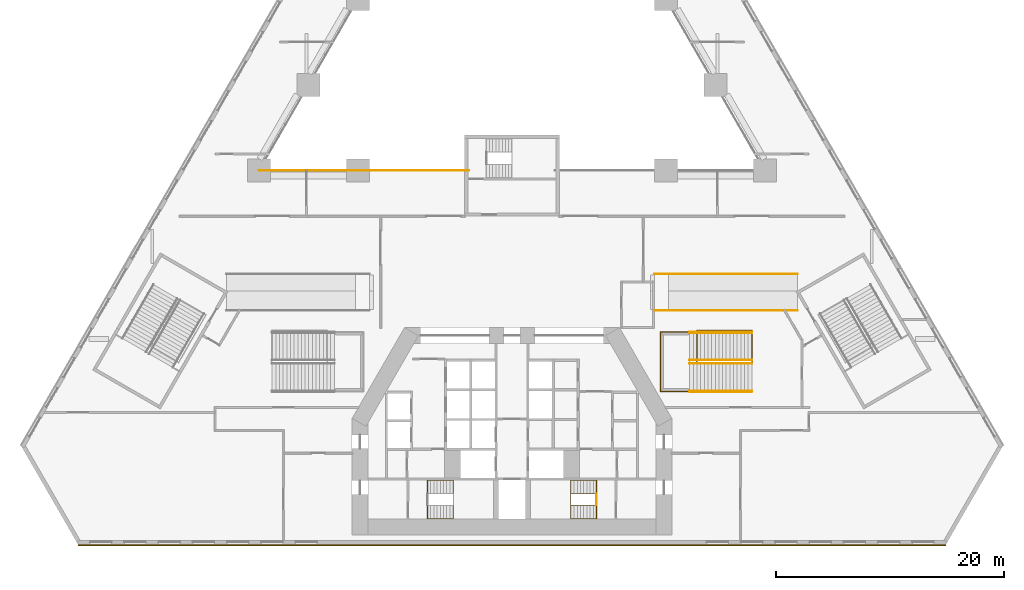
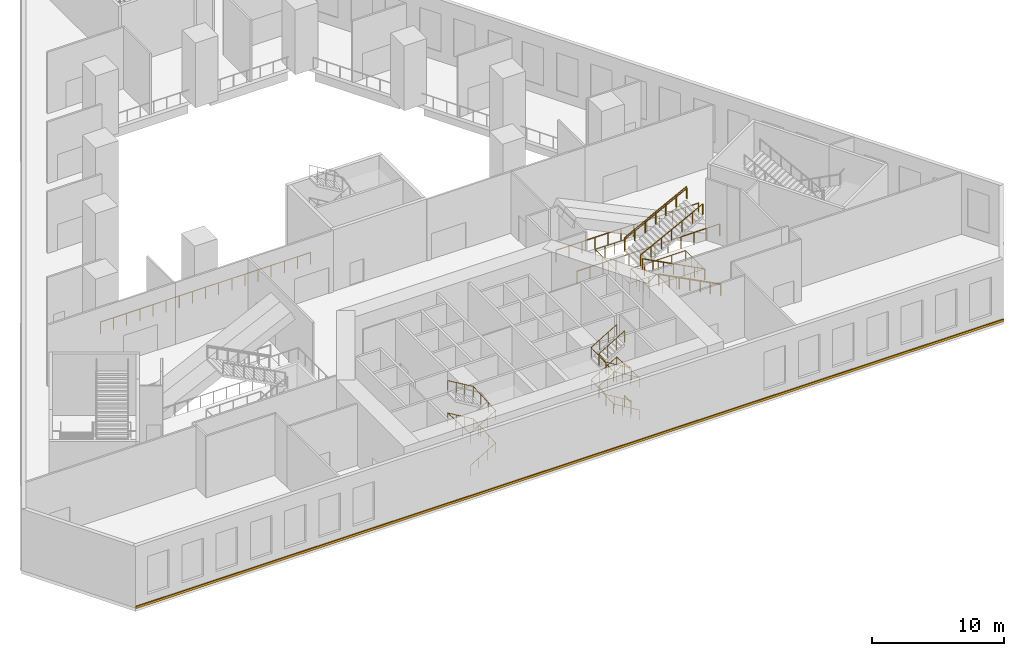
# One storey, part 11 of 16: 15 railings, 1 covering.
"""IFC4 building model written with IfcOpenShell, lengths in metres."""

from ifc_helpers import new_model, si_unit, direction, frame, origin, origin_2d, place, context, subcontext, project, spatial, polyline, circle, outline, extrude, material, type_object, element, save


model = new_model("IFC4")

# Units and contexts
model_context = context("Model", 3, precision=1e-05, world=origin(), true_north=direction((0.0, 1.0)))
body_context = subcontext(model_context, "Body", "Model", "MODEL_VIEW")
ifc_project = project(units=[si_unit("LENGTHUNIT", "METRE"), si_unit("AREAUNIT", "SQUARE_METRE"), si_unit("VOLUMEUNIT", "CUBIC_METRE"), si_unit("PLANEANGLEUNIT", "RADIAN"), si_unit("MASSUNIT", "GRAM", prefix="KILO")], contexts=[model_context])

# Site, building, storey
site_placement = place(None, origin())
site = spatial("IfcSite", under=ifc_project, at=site_placement, CompositionType="ELEMENT")
building_placement = place(site_placement, origin())
building = spatial("IfcBuilding", under=site, at=building_placement, Name="Fogline Exchange Tower", CompositionType="ELEMENT")
storey_placement = place(building_placement, frame((0.0, 0.0, 14.0)))
storey = spatial("IfcBuildingStorey", under=building, at=storey_placement, Name="L02", CompositionType="ELEMENT", Elevation=14.0)

# Railings
ifc_material_1 = material(Name="Steel Q235B", Category="steel")
railing_type_1 = type_object("IfcRailingType", Name="PG1", PredefinedType="GUARDRAIL", material=ifc_material_1)
railing_1_placement = place(storey_placement, frame((16.199951171875, 15.949951171875, 0.0)))
element("IfcRailing", 1, at=railing_1_placement, inside=storey, type_object=railing_type_1, Name="Stair well guard PS2", PredefinedType="GUARDRAIL", context=body_context, shape_type="SweptSolid", body=[
    extrude(circle(Radius=0.02392578125, at=origin_2d()), frame((0.0, 0.0, 1.076171875), z_axis=(0.0, 1.0, 0.0), x_axis=(-1.0, 0.0, 0.0)), (0.0, 0.0, 1.0), 2.800048828125),
    extrude(circle(Radius=0.02392578125, at=origin_2d()), frame((0.0, 2.800048828125, 1.076171875), z_axis=(1.0, 0.0, 0.0), x_axis=(0.0, 1.0, 0.0)), (0.0, 0.0, 1.0), 4.798095703125),
    extrude(circle(Radius=0.02392578125, at=origin_2d()), frame((4.798095703125, 2.800048828125, 1.076171875), z_axis=(0.0, -1.0, 0.0), x_axis=(1.0, 0.0, 0.0)), (0.0, 0.0, 1.0), 2.800048828125),
    extrude(circle(Radius=0.02392578125, at=origin_2d()), frame((4.798095703125, 0.0, 1.076171875), z_axis=(-0.999999429113, 0.001068538544, 0.0), x_axis=(-0.001068538544, -0.999999429113, 0.0)), (0.0, 0.0, 1.0), 4.798095703125),
    extrude(circle(Radius=0.02099609375, at=origin_2d()), origin(), (0.0, 0.0, 1.0), 1.052001953125),
    extrude(circle(Radius=0.02099609375, at=origin_2d()), frame((0.0, 0.933349609375, 0.0)), (0.0, 0.0, 1.0), 1.052001953125),
    extrude(circle(Radius=0.02099609375, at=origin_2d()), frame((0.0, 1.86669921875, 0.0)), (0.0, 0.0, 1.0), 1.052001953125),
    extrude(circle(Radius=0.02099609375, at=origin_2d()), frame((0.0, 2.800048828125, 0.0)), (0.0, 0.0, 1.0), 1.052001953125),
    extrude(circle(Radius=0.02099609375, at=origin_2d()), frame((1.199462890625, 2.800048828125, 0.0)), (0.0, 0.0, 1.0), 1.052001953125),
    extrude(circle(Radius=0.02099609375, at=origin_2d()), frame((2.39892578125, 2.800048828125, 0.0)), (0.0, 0.0, 1.0), 1.052001953125),
    extrude(circle(Radius=0.02099609375, at=origin_2d()), frame((3.5986328125, 2.800048828125, 0.0)), (0.0, 0.0, 1.0), 1.052001953125),
    extrude(circle(Radius=0.02099609375, at=origin_2d()), frame((4.798095703125, 2.800048828125, 0.0)), (0.0, 0.0, 1.0), 1.052001953125),
    extrude(circle(Radius=0.02099609375, at=origin_2d()), frame((4.798095703125, 1.86669921875, 0.0)), (0.0, 0.0, 1.0), 1.052001953125),
    extrude(circle(Radius=0.02099609375, at=origin_2d()), frame((4.798095703125, 0.933349609375, 0.0)), (0.0, 0.0, 1.0), 1.052001953125),
    extrude(circle(Radius=0.02099609375, at=origin_2d()), frame((4.798095703125, 0.0, 0.0)), (0.0, 0.0, 1.0), 1.052001953125),
    extrude(circle(Radius=0.02099609375, at=origin_2d()), frame((3.5986328125, 0.001220703125, 0.0)), (0.0, 0.0, 1.0), 1.052001953125),
    extrude(circle(Radius=0.02099609375, at=origin_2d()), frame((2.39892578125, 0.00244140625, 0.0)), (0.0, 0.0, 1.0), 1.052001953125),
    extrude(circle(Radius=0.02099609375, at=origin_2d()), frame((1.199462890625, 0.00390625, 0.0)), (0.0, 0.0, 1.0), 1.052001953125),
    extrude(circle(Radius=0.02099609375, at=origin_2d()), frame((0.0, 0.005126953125, 0.0)), (0.0, 0.0, 1.0), 1.052001953125),
])
railing_2_placement = place(storey_placement, frame((21.0, 13.3798828125, 0.166748046875)))
element("IfcRailing", 2, at=railing_2_placement, inside=storey, type_object=railing_type_1, Name="Guard PS2", PredefinedType="GUARDRAIL", context=body_context, shape_type="SweptSolid", body=[
    extrude(circle(Radius=0.02392578125, at=origin_2d()), frame((0.0, 0.0, 1.076171875), z_axis=(-0.886917481566, 0.0, 0.461927895771), x_axis=(0.0, -1.0, 0.0)), (0.0, 0.0, 1.0), 6.133544921875),
    extrude(circle(Radius=0.02099609375, at=origin_2d()), origin(), (0.0, 0.0, 1.0), 1.052001953125),
    extrude(circle(Radius=0.02099609375, at=origin_2d()), frame((-0.90673828125, 0.0, 0.47216796875)), (0.0, 0.0, 1.0), 1.052001953125),
    extrude(circle(Radius=0.02099609375, at=origin_2d()), frame((-1.813232421875, 0.0, 0.9443359375)), (0.0, 0.0, 1.0), 1.052001953125),
    extrude(circle(Radius=0.02099609375, at=origin_2d()), frame((-2.719970703125, 0.0, 1.41650390625)), (0.0, 0.0, 1.0), 1.052001953125),
    extrude(circle(Radius=0.02099609375, at=origin_2d()), frame((-3.626708984375, 0.0, 1.888916015625)), (0.0, 0.0, 1.0), 1.052001953125),
    extrude(circle(Radius=0.02099609375, at=origin_2d()), frame((-4.533203125, 0.0, 2.361083984375)), (0.0, 0.0, 1.0), 1.052001953125),
    extrude(circle(Radius=0.02099609375, at=origin_2d()), frame((-5.43994140625, 0.0, 2.833251953125)), (0.0, 0.0, 1.0), 1.052001953125),
])
railing_3_placement = place(storey_placement, frame((15.56005859375, 18.6201171875, 3.166748046875)))
element("IfcRailing", 3, at=railing_3_placement, inside=storey, type_object=railing_type_1, Name="Guard PS2", PredefinedType="GUARDRAIL", context=body_context, shape_type="SweptSolid", body=[
    extrude(circle(Radius=0.02392578125, at=origin_2d()), frame((0.0, 0.0, 1.076171875), z_axis=(0.886917481566, 0.0, 0.461927895771), x_axis=(0.0, 1.0, 0.0)), (0.0, 0.0, 1.0), 6.133544921875),
    extrude(circle(Radius=0.02099609375, at=origin_2d()), origin(), (0.0, 0.0, 1.0), 1.052001953125),
    extrude(circle(Radius=0.02099609375, at=origin_2d()), frame((0.90673828125, 0.0, 0.47216796875)), (0.0, 0.0, 1.0), 1.052001953125),
    extrude(circle(Radius=0.02099609375, at=origin_2d()), frame((1.813232421875, 0.0, 0.9443359375)), (0.0, 0.0, 1.0), 1.052001953125),
    extrude(circle(Radius=0.02099609375, at=origin_2d()), frame((2.719970703125, 0.0, 1.41650390625)), (0.0, 0.0, 1.0), 1.052001953125),
    extrude(circle(Radius=0.02099609375, at=origin_2d()), frame((3.626708984375, 0.0, 1.888916015625)), (0.0, 0.0, 1.0), 1.052001953125),
    extrude(circle(Radius=0.02099609375, at=origin_2d()), frame((4.533203125, 0.0, 2.361083984375)), (0.0, 0.0, 1.0), 1.052001953125),
    extrude(circle(Radius=0.02099609375, at=origin_2d()), frame((5.43994140625, 0.0, 2.833251953125)), (0.0, 0.0, 1.0), 1.052001953125),
])
railing_4_placement = place(storey_placement, frame((15.56005859375, 13.39990234375, 3.0)))
element("IfcRailing", 4, at=railing_4_placement, inside=storey, type_object=railing_type_1, Name="Landing guard PS2", PredefinedType="GUARDRAIL", context=body_context, shape_type="SweptSolid", body=[
    extrude(circle(Radius=0.02392578125, at=origin_2d()), frame((0.0, 0.0, 1.076171875), z_axis=(-1.0, 0.0, 0.0), x_axis=(0.0, -1.0, 0.0)), (0.0, 0.0, 1.0), 2.56005859375),
    extrude(circle(Radius=0.02392578125, at=origin_2d()), frame((-2.56005859375, 0.0, 1.076171875), z_axis=(0.0, 1.0, 0.0), x_axis=(-1.0, 0.0, 0.0)), (0.0, 0.0, 1.0), 5.2001953125),
    extrude(circle(Radius=0.02392578125, at=origin_2d()), frame((-2.56005859375, 5.2001953125, 1.076171875), z_axis=(1.0, 0.0, 0.0), x_axis=(0.0, 1.0, 0.0)), (0.0, 0.0, 1.0), 2.56005859375),
    extrude(circle(Radius=0.02099609375, at=origin_2d()), origin(), (0.0, 0.0, 1.0), 1.052001953125),
    extrude(circle(Radius=0.02099609375, at=origin_2d()), frame((-0.853271484375, 0.0, 0.0)), (0.0, 0.0, 1.0), 1.052001953125),
    extrude(circle(Radius=0.02099609375, at=origin_2d()), frame((-1.706787109375, 0.0, 0.0)), (0.0, 0.0, 1.0), 1.052001953125),
    extrude(circle(Radius=0.02099609375, at=origin_2d()), frame((-2.56005859375, 0.0, 0.0)), (0.0, 0.0, 1.0), 1.052001953125),
    extrude(circle(Radius=0.02099609375, at=origin_2d()), frame((-2.56005859375, 1.0400390625, 0.0)), (0.0, 0.0, 1.0), 1.052001953125),
    extrude(circle(Radius=0.02099609375, at=origin_2d()), frame((-2.56005859375, 2.080078125, 0.0)), (0.0, 0.0, 1.0), 1.052001953125),
    extrude(circle(Radius=0.02099609375, at=origin_2d()), frame((-2.56005859375, 3.1201171875, 0.0)), (0.0, 0.0, 1.0), 1.052001953125),
    extrude(circle(Radius=0.02099609375, at=origin_2d()), frame((-2.56005859375, 4.16015625, 0.0)), (0.0, 0.0, 1.0), 1.052001953125),
    extrude(circle(Radius=0.02099609375, at=origin_2d()), frame((-2.56005859375, 5.2001953125, 0.0)), (0.0, 0.0, 1.0), 1.052001953125),
    extrude(circle(Radius=0.02099609375, at=origin_2d()), frame((-1.706787109375, 5.2001953125, 0.0)), (0.0, 0.0, 1.0), 1.052001953125),
    extrude(circle(Radius=0.02099609375, at=origin_2d()), frame((-0.853271484375, 5.2001953125, 0.0)), (0.0, 0.0, 1.0), 1.052001953125),
    extrude(circle(Radius=0.02099609375, at=origin_2d()), frame((0.0, 5.2001953125, 0.0)), (0.0, 0.0, 1.0), 1.052001953125),
])
for number, where, name in (
    (5, (12.5, 20.5, 0.0), "Guard"),
    (6, (12.5, 23.699951171875, 0.0), "Guard"),
):
    element("IfcRailing", number, at=place(storey_placement, frame(where)), inside=storey, type_object=railing_type_1, Name=name, PredefinedType="GUARDRAIL", context=body_context, shape_type="SweptSolid", body=[
        extrude(circle(Radius=0.02392578125, at=origin_2d()), frame((0.0, 0.0, 1.076171875), z_axis=(1.0, 0.0, 0.0), x_axis=(0.0, 1.0, 0.0)), (0.0, 0.0, 1.0), 12.5),
        extrude(circle(Radius=0.02099609375, at=origin_2d()), origin(), (0.0, 0.0, 1.0), 1.052001953125),
        extrude(circle(Radius=0.02099609375, at=origin_2d()), frame((1.136474609375, 0.0, 0.0)), (0.0, 0.0, 1.0), 1.052001953125),
        extrude(circle(Radius=0.02099609375, at=origin_2d()), frame((2.272705078125, 0.0, 0.0)), (0.0, 0.0, 1.0), 1.052001953125),
        extrude(circle(Radius=0.02099609375, at=origin_2d()), frame((3.4091796875, 0.0, 0.0)), (0.0, 0.0, 1.0), 1.052001953125),
        extrude(circle(Radius=0.02099609375, at=origin_2d()), frame((4.54541015625, 0.0, 0.0)), (0.0, 0.0, 1.0), 1.052001953125),
        extrude(circle(Radius=0.02099609375, at=origin_2d()), frame((5.681884765625, 0.0, 0.0)), (0.0, 0.0, 1.0), 1.052001953125),
        extrude(circle(Radius=0.02099609375, at=origin_2d()), frame((6.818115234375, 0.0, 0.0)), (0.0, 0.0, 1.0), 1.052001953125),
        extrude(circle(Radius=0.02099609375, at=origin_2d()), frame((7.95458984375, 0.0, 0.0)), (0.0, 0.0, 1.0), 1.052001953125),
        extrude(circle(Radius=0.02099609375, at=origin_2d()), frame((9.0908203125, 0.0, 0.0)), (0.0, 0.0, 1.0), 1.052001953125),
        extrude(circle(Radius=0.02099609375, at=origin_2d()), frame((10.227294921875, 0.0, 0.0)), (0.0, 0.0, 1.0), 1.052001953125),
        extrude(circle(Radius=0.02099609375, at=origin_2d()), frame((11.363525390625, 0.0, 0.0)), (0.0, 0.0, 1.0), 1.052001953125),
        extrude(circle(Radius=0.02099609375, at=origin_2d()), frame((12.5, 0.0, 0.0)), (0.0, 0.0, 1.0), 1.052001953125),
    ])
railing_5_placement = place(storey_placement, frame((-22.15771484375, 32.760009765625, 0.0)))
element("IfcRailing", 7, at=railing_5_placement, inside=storey, type_object=railing_type_1, Name="Gallery guard", PredefinedType="GUARDRAIL", context=body_context, shape_type="SweptSolid", body=[
    extrude(circle(Radius=0.02392578125, at=origin_2d()), frame((0.0, 0.0, 1.076171875), z_axis=(1.0, 0.0, 0.0), x_axis=(0.0, 1.0, 0.0)), (0.0, 0.0, 1.0), 18.40771484375),
    extrude(circle(Radius=0.02099609375, at=origin_2d()), origin(), (0.0, 0.0, 1.0), 1.052001953125),
    extrude(circle(Radius=0.02099609375, at=origin_2d()), frame((1.150390625, 0.0, 0.0)), (0.0, 0.0, 1.0), 1.052001953125),
    extrude(circle(Radius=0.02099609375, at=origin_2d()), frame((2.301025390625, 0.0, 0.0)), (0.0, 0.0, 1.0), 1.052001953125),
    extrude(circle(Radius=0.02099609375, at=origin_2d()), frame((3.451416015625, 0.0, 0.0)), (0.0, 0.0, 1.0), 1.052001953125),
    extrude(circle(Radius=0.02099609375, at=origin_2d()), frame((4.60205078125, 0.0, 0.0)), (0.0, 0.0, 1.0), 1.052001953125),
    extrude(circle(Radius=0.02099609375, at=origin_2d()), frame((5.75244140625, 0.0, 0.0)), (0.0, 0.0, 1.0), 1.052001953125),
    extrude(circle(Radius=0.02099609375, at=origin_2d()), frame((6.90283203125, 0.0, 0.0)), (0.0, 0.0, 1.0), 1.052001953125),
    extrude(circle(Radius=0.02099609375, at=origin_2d()), frame((8.053466796875, 0.0, 0.0)), (0.0, 0.0, 1.0), 1.052001953125),
    extrude(circle(Radius=0.02099609375, at=origin_2d()), frame((9.203857421875, 0.0, 0.0)), (0.0, 0.0, 1.0), 1.052001953125),
    extrude(circle(Radius=0.02099609375, at=origin_2d()), frame((10.354248046875, 0.0, 0.0)), (0.0, 0.0, 1.0), 1.052001953125),
    extrude(circle(Radius=0.02099609375, at=origin_2d()), frame((11.5048828125, 0.0, 0.0)), (0.0, 0.0, 1.0), 1.052001953125),
    extrude(circle(Radius=0.02099609375, at=origin_2d()), frame((12.6552734375, 0.0, 0.0)), (0.0, 0.0, 1.0), 1.052001953125),
    extrude(circle(Radius=0.02099609375, at=origin_2d()), frame((13.8056640625, 0.0, 0.0)), (0.0, 0.0, 1.0), 1.052001953125),
    extrude(circle(Radius=0.02099609375, at=origin_2d()), frame((14.956298828125, 0.0, 0.0)), (0.0, 0.0, 1.0), 1.052001953125),
    extrude(circle(Radius=0.02099609375, at=origin_2d()), frame((16.106689453125, 0.0, 0.0)), (0.0, 0.0, 1.0), 1.052001953125),
    extrude(circle(Radius=0.02099609375, at=origin_2d()), frame((17.25732421875, 0.0, 0.0)), (0.0, 0.0, 1.0), 1.052001953125),
    extrude(circle(Radius=0.02099609375, at=origin_2d()), frame((18.40771484375, 0.0, 0.0)), (0.0, 0.0, 1.0), 1.052001953125),
])
railing_type_2 = type_object("IfcRailingType", Name="PH1", PredefinedType="HANDRAIL", material=ifc_material_1)
for number, where, name in (
    (8, (21.0, 15.85009765625, 0.166748046875), "Handrail PS2"),
    (9, (21.0, 13.449951171875, 0.166748046875), "Handrail PS2"),
):
    element("IfcRailing", number, at=place(storey_placement, frame(where)), inside=storey, type_object=railing_type_2, Name=name, PredefinedType="HANDRAIL", context=body_context, shape_type="SweptSolid", body=[
        extrude(circle(Radius=0.02392578125, at=origin_2d()), frame((0.0, 0.0, 0.97607421875), z_axis=(-0.886917481566, 0.0, 0.461927895771), x_axis=(0.0, -1.0, 0.0)), (0.0, 0.0, 1.0), 6.133544921875),
        extrude(circle(Radius=0.02099609375, at=origin_2d()), origin(), (0.0, 0.0, 1.0), 0.951904296875),
        extrude(circle(Radius=0.02099609375, at=origin_2d()), frame((-0.90673828125, 0.0, 0.47216796875)), (0.0, 0.0, 1.0), 0.951904296875),
        extrude(circle(Radius=0.02099609375, at=origin_2d()), frame((-1.813232421875, 0.0, 0.9443359375)), (0.0, 0.0, 1.0), 0.951904296875),
        extrude(circle(Radius=0.02099609375, at=origin_2d()), frame((-2.719970703125, 0.0, 1.41650390625)), (0.0, 0.0, 1.0), 0.951904296875),
        extrude(circle(Radius=0.02099609375, at=origin_2d()), frame((-3.626708984375, 0.0, 1.888916015625)), (0.0, 0.0, 1.0), 0.951904296875),
        extrude(circle(Radius=0.02099609375, at=origin_2d()), frame((-4.533203125, 0.0, 2.361083984375)), (0.0, 0.0, 1.0), 0.951904296875),
        extrude(circle(Radius=0.02099609375, at=origin_2d()), frame((-5.43994140625, 0.0, 2.833251953125)), (0.0, 0.0, 1.0), 0.951904296875),
    ])
for number, where, name in (
    (10, (15.56005859375, 16.14990234375, 3.166748046875), "Handrail PS2"),
    (11, (15.56005859375, 18.550048828125, 3.166748046875), "Handrail PS2"),
):
    element("IfcRailing", number, at=place(storey_placement, frame(where)), inside=storey, type_object=railing_type_2, Name=name, PredefinedType="HANDRAIL", context=body_context, shape_type="SweptSolid", body=[
        extrude(circle(Radius=0.02392578125, at=origin_2d()), frame((0.0, 0.0, 0.97607421875), z_axis=(0.886917481566, 0.0, 0.461927895771), x_axis=(0.0, 1.0, 0.0)), (0.0, 0.0, 1.0), 6.133544921875),
        extrude(circle(Radius=0.02099609375, at=origin_2d()), origin(), (0.0, 0.0, 1.0), 0.951904296875),
        extrude(circle(Radius=0.02099609375, at=origin_2d()), frame((0.90673828125, 0.0, 0.47216796875)), (0.0, 0.0, 1.0), 0.951904296875),
        extrude(circle(Radius=0.02099609375, at=origin_2d()), frame((1.813232421875, 0.0, 0.9443359375)), (0.0, 0.0, 1.0), 0.951904296875),
        extrude(circle(Radius=0.02099609375, at=origin_2d()), frame((2.719970703125, 0.0, 1.41650390625)), (0.0, 0.0, 1.0), 0.951904296875),
        extrude(circle(Radius=0.02099609375, at=origin_2d()), frame((3.626708984375, 0.0, 1.888916015625)), (0.0, 0.0, 1.0), 0.951904296875),
        extrude(circle(Radius=0.02099609375, at=origin_2d()), frame((4.533203125, 0.0, 2.361083984375)), (0.0, 0.0, 1.0), 0.951904296875),
        extrude(circle(Radius=0.02099609375, at=origin_2d()), frame((5.43994140625, 0.0, 2.833251953125)), (0.0, 0.0, 1.0), 0.951904296875),
    ])
railing_type_3 = type_object("IfcRailingType", Name="RL-GD", PredefinedType="GUARDRAIL", material=ifc_material_1)
railing_6_placement = place(storey_placement, frame((7.389892578125, 3.449951171875, 0.0)))
element("IfcRailing", 12, at=railing_6_placement, inside=storey, type_object=railing_type_3, Name="Guard at well", PredefinedType="GUARDRAIL", context=body_context, shape_type="SweptSolid", body=[
    extrude(circle(Radius=0.02392578125, at=origin_2d()), frame((0.0, 0.0, 1.076171875), z_axis=(0.0, 1.0, 0.0), x_axis=(-1.0, 0.0, 0.0)), (0.0, 0.0, 1.0), 1.0),
    extrude(circle(Radius=0.02099609375, at=origin_2d()), origin(), (0.0, 0.0, 1.0), 1.052001953125),
    extrude(circle(Radius=0.02099609375, at=origin_2d()), frame((0.0, 1.0, 0.0)), (0.0, 0.0, 1.0), 1.052001953125),
])
railing_7_placement = place(storey_placement, frame((7.39990234375, 3.449951171875, 0.166748046875)))
element("IfcRailing", 13, at=railing_7_placement, inside=storey, type_object=railing_type_3, Name="Guard ST2", PredefinedType="GUARDRAIL", context=body_context, shape_type="SweptSolid", body=[
    extrude(circle(Radius=0.02392578125, at=origin_2d()), frame((0.0, 0.0, 1.076171875), z_axis=(-0.859305625298, 0.0, 0.511462454469), x_axis=(0.0, -1.0, 0.0)), (0.0, 0.0, 1.0), 2.606689453125),
    extrude(circle(Radius=0.02392578125, at=origin_2d()), frame((-2.239990234375, 0.0, 2.4091796875), z_axis=(0.0, 0.986380903678, 0.164477089163), x_axis=(-1.0, 0.0, 0.0)), (0.0, 0.0, 1.0), 1.013916015625),
    extrude(circle(Radius=0.02392578125, at=origin_2d()), frame((-2.239990234375, 1.0, 2.576171875), z_axis=(0.859305625298, 0.0, 0.511462454469), x_axis=(0.0, 1.0, 0.0)), (0.0, 0.0, 1.0), 2.606689453125),
    extrude(circle(Radius=0.02392578125, at=origin_2d()), frame((0.0, 1.0, 3.9091796875), z_axis=(0.0, -0.986380903678, 0.164477089163), x_axis=(1.0, 0.0, 0.0)), (0.0, 0.0, 1.0), 1.013916015625),
    extrude(circle(Radius=0.02392578125, at=origin_2d()), frame((0.0, 0.0, 4.076171875), z_axis=(-0.859305625298, 0.0, 0.511462454469), x_axis=(0.0, -1.0, 0.0)), (0.0, 0.0, 1.0), 2.606689453125),
    extrude(circle(Radius=0.02392578125, at=origin_2d()), frame((-2.239990234375, 0.0, 5.4091796875), z_axis=(0.0, 0.986380903678, 0.164477089163), x_axis=(-1.0, 0.0, 0.0)), (0.0, 0.0, 1.0), 1.013916015625),
    extrude(circle(Radius=0.02392578125, at=origin_2d()), frame((-2.239990234375, 1.0, 5.576171875), z_axis=(0.859305625298, 0.0, 0.511462454469), x_axis=(0.0, 1.0, 0.0)), (0.0, 0.0, 1.0), 2.606689453125),
    extrude(circle(Radius=0.02099609375, at=origin_2d()), origin(), (0.0, 0.0, 1.0), 1.052001953125),
    extrude(circle(Radius=0.02099609375, at=origin_2d()), frame((-0.74658203125, 0.0, 0.4443359375)), (0.0, 0.0, 1.0), 1.052001953125),
    extrude(circle(Radius=0.02099609375, at=origin_2d()), frame((-1.493408203125, 0.0, 0.888916015625)), (0.0, 0.0, 1.0), 1.052001953125),
    extrude(circle(Radius=0.02099609375, at=origin_2d()), frame((-2.239990234375, 0.0, 1.333251953125)), (0.0, 0.0, 1.0), 1.052001953125),
    extrude(circle(Radius=0.02099609375, at=origin_2d()), frame((-2.239990234375, 1.0, 1.5)), (0.0, 0.0, 1.0), 1.052001953125),
    extrude(circle(Radius=0.02099609375, at=origin_2d()), frame((-1.493408203125, 1.0, 1.9443359375)), (0.0, 0.0, 1.0), 1.052001953125),
    extrude(circle(Radius=0.02099609375, at=origin_2d()), frame((-0.74658203125, 1.0, 2.388916015625)), (0.0, 0.0, 1.0), 1.052001953125),
    extrude(circle(Radius=0.02099609375, at=origin_2d()), frame((0.0, 1.0, 2.833251953125)), (0.0, 0.0, 1.0), 1.052001953125),
    extrude(circle(Radius=0.02099609375, at=origin_2d()), frame((0.0, 0.0, 3.0)), (0.0, 0.0, 1.0), 1.052001953125),
    extrude(circle(Radius=0.02099609375, at=origin_2d()), frame((-0.74658203125, 0.0, 3.4443359375)), (0.0, 0.0, 1.0), 1.052001953125),
    extrude(circle(Radius=0.02099609375, at=origin_2d()), frame((-1.493408203125, 0.0, 3.888916015625)), (0.0, 0.0, 1.0), 1.052001953125),
    extrude(circle(Radius=0.02099609375, at=origin_2d()), frame((-2.239990234375, 0.0, 4.333251953125)), (0.0, 0.0, 1.0), 1.052001953125),
    extrude(circle(Radius=0.02099609375, at=origin_2d()), frame((-2.239990234375, 1.0, 4.5)), (0.0, 0.0, 1.0), 1.052001953125),
    extrude(circle(Radius=0.02099609375, at=origin_2d()), frame((-1.493408203125, 1.0, 4.9443359375)), (0.0, 0.0, 1.0), 1.052001953125),
    extrude(circle(Radius=0.02099609375, at=origin_2d()), frame((-0.74658203125, 1.0, 5.388916015625)), (0.0, 0.0, 1.0), 1.052001953125),
    extrude(circle(Radius=0.02099609375, at=origin_2d()), frame((0.0, 1.0, 5.833251953125)), (0.0, 0.0, 1.0), 1.052001953125),
])
railing_type_4 = type_object("IfcRailingType", Name="RL-HR", PredefinedType="HANDRAIL", material=ifc_material_1)
railing_8_placement = place(storey_placement, frame((-7.39990234375, 2.25, 0.166748046875)))
element("IfcRailing", 14, at=railing_8_placement, inside=storey, type_object=railing_type_4, Name="Handrail ST1", PredefinedType="HANDRAIL", context=body_context, shape_type="SweptSolid", body=[
    extrude(circle(Radius=0.02392578125, at=origin_2d()), frame((0.0, 0.0, 0.92578125), z_axis=(0.859305625298, 0.0, 0.511462454469), x_axis=(0.0, 1.0, 0.0)), (0.0, 0.0, 1.0), 2.606689453125),
    extrude(circle(Radius=0.02392578125, at=origin_2d()), frame((2.239990234375, 0.0, 2.25927734375), z_axis=(0.0, 0.998799461751, 0.048986071548), x_axis=(-1.0, 0.0, 0.0)), (0.0, 0.0, 1.0), 3.404052734375),
    extrude(circle(Radius=0.02392578125, at=origin_2d()), frame((2.239990234375, 3.39990234375, 2.42578125), z_axis=(-0.859305625298, 0.0, 0.511462454469), x_axis=(0.0, -1.0, 0.0)), (0.0, 0.0, 1.0), 2.606689453125),
    extrude(circle(Radius=0.02392578125, at=origin_2d()), frame((0.0, 3.39990234375, 3.75927734375), z_axis=(0.0, -0.998799461751, 0.048986071548), x_axis=(1.0, 0.0, 0.0)), (0.0, 0.0, 1.0), 3.404052734375),
    extrude(circle(Radius=0.02392578125, at=origin_2d()), frame((0.0, 0.0, 3.92578125), z_axis=(0.859305625298, 0.0, 0.511462454469), x_axis=(0.0, 1.0, 0.0)), (0.0, 0.0, 1.0), 2.606689453125),
    extrude(circle(Radius=0.02392578125, at=origin_2d()), frame((2.239990234375, 0.0, 5.25927734375), z_axis=(0.0, 0.998799461751, 0.048986071548), x_axis=(-1.0, 0.0, 0.0)), (0.0, 0.0, 1.0), 3.404052734375),
    extrude(circle(Radius=0.02392578125, at=origin_2d()), frame((2.239990234375, 3.39990234375, 5.42578125), z_axis=(-0.859305625298, 0.0, 0.511462454469), x_axis=(0.0, -1.0, 0.0)), (0.0, 0.0, 1.0), 2.606689453125),
    extrude(circle(Radius=0.02099609375, at=origin_2d()), origin(), (0.0, 0.0, 1.0), 0.90185546875),
    extrude(circle(Radius=0.02099609375, at=origin_2d()), frame((0.74658203125, 0.0, 0.4443359375)), (0.0, 0.0, 1.0), 0.90185546875),
    extrude(circle(Radius=0.02099609375, at=origin_2d()), frame((1.493408203125, 0.0, 0.888916015625)), (0.0, 0.0, 1.0), 0.90185546875),
    extrude(circle(Radius=0.02099609375, at=origin_2d()), frame((2.239990234375, 0.0, 1.333251953125)), (0.0, 0.0, 1.0), 0.90185546875),
    extrude(circle(Radius=0.02099609375, at=origin_2d()), frame((2.239990234375, 1.13330078125, 1.388916015625)), (0.0, 0.0, 1.0), 0.90185546875),
    extrude(circle(Radius=0.02099609375, at=origin_2d()), frame((2.239990234375, 2.2666015625, 1.4443359375)), (0.0, 0.0, 1.0), 0.90185546875),
    extrude(circle(Radius=0.02099609375, at=origin_2d()), frame((2.239990234375, 3.39990234375, 1.5)), (0.0, 0.0, 1.0), 0.90185546875),
    extrude(circle(Radius=0.02099609375, at=origin_2d()), frame((1.493408203125, 3.39990234375, 1.9443359375)), (0.0, 0.0, 1.0), 0.90185546875),
    extrude(circle(Radius=0.02099609375, at=origin_2d()), frame((0.74658203125, 3.39990234375, 2.388916015625)), (0.0, 0.0, 1.0), 0.90185546875),
    extrude(circle(Radius=0.02099609375, at=origin_2d()), frame((0.0, 3.39990234375, 2.833251953125)), (0.0, 0.0, 1.0), 0.90185546875),
    extrude(circle(Radius=0.02099609375, at=origin_2d()), frame((0.0, 2.2666015625, 2.888916015625)), (0.0, 0.0, 1.0), 0.90185546875),
    extrude(circle(Radius=0.02099609375, at=origin_2d()), frame((0.0, 1.13330078125, 2.9443359375)), (0.0, 0.0, 1.0), 0.90185546875),
    extrude(circle(Radius=0.02099609375, at=origin_2d()), frame((0.0, 0.0, 3.0)), (0.0, 0.0, 1.0), 0.90185546875),
    extrude(circle(Radius=0.02099609375, at=origin_2d()), frame((0.74658203125, 0.0, 3.4443359375)), (0.0, 0.0, 1.0), 0.90185546875),
    extrude(circle(Radius=0.02099609375, at=origin_2d()), frame((1.493408203125, 0.0, 3.888916015625)), (0.0, 0.0, 1.0), 0.90185546875),
    extrude(circle(Radius=0.02099609375, at=origin_2d()), frame((2.239990234375, 0.0, 4.333251953125)), (0.0, 0.0, 1.0), 0.90185546875),
    extrude(circle(Radius=0.02099609375, at=origin_2d()), frame((2.239990234375, 1.13330078125, 4.388916015625)), (0.0, 0.0, 1.0), 0.90185546875),
    extrude(circle(Radius=0.02099609375, at=origin_2d()), frame((2.239990234375, 2.2666015625, 4.4443359375)), (0.0, 0.0, 1.0), 0.90185546875),
    extrude(circle(Radius=0.02099609375, at=origin_2d()), frame((2.239990234375, 3.39990234375, 4.5)), (0.0, 0.0, 1.0), 0.90185546875),
    extrude(circle(Radius=0.02099609375, at=origin_2d()), frame((1.493408203125, 3.39990234375, 4.9443359375)), (0.0, 0.0, 1.0), 0.90185546875),
    extrude(circle(Radius=0.02099609375, at=origin_2d()), frame((0.74658203125, 3.39990234375, 5.388916015625)), (0.0, 0.0, 1.0), 0.90185546875),
    extrude(circle(Radius=0.02099609375, at=origin_2d()), frame((0.0, 3.39990234375, 5.833251953125)), (0.0, 0.0, 1.0), 0.90185546875),
])
railing_9_placement = place(storey_placement, frame((7.39990234375, 2.25, 0.166748046875)))
element("IfcRailing", 15, at=railing_9_placement, inside=storey, type_object=railing_type_4, Name="Handrail ST2", PredefinedType="HANDRAIL", context=body_context, shape_type="SweptSolid", body=[
    extrude(circle(Radius=0.02392578125, at=origin_2d()), frame((0.0, 0.0, 0.92578125), z_axis=(-0.859305625298, 0.0, 0.511462454469), x_axis=(0.0, -1.0, 0.0)), (0.0, 0.0, 1.0), 2.606689453125),
    extrude(circle(Radius=0.02392578125, at=origin_2d()), frame((-2.239990234375, 0.0, 2.25927734375), z_axis=(0.0, 0.998799461751, 0.048986071548), x_axis=(-1.0, 0.0, 0.0)), (0.0, 0.0, 1.0), 3.404052734375),
    extrude(circle(Radius=0.02392578125, at=origin_2d()), frame((-2.239990234375, 3.39990234375, 2.42578125), z_axis=(0.859305625298, 0.0, 0.511462454469), x_axis=(0.0, 1.0, 0.0)), (0.0, 0.0, 1.0), 2.606689453125),
    extrude(circle(Radius=0.02392578125, at=origin_2d()), frame((0.0, 3.39990234375, 3.75927734375), z_axis=(0.0, -0.998799461751, 0.048986071548), x_axis=(1.0, 0.0, 0.0)), (0.0, 0.0, 1.0), 3.404052734375),
    extrude(circle(Radius=0.02392578125, at=origin_2d()), frame((0.0, 0.0, 3.92578125), z_axis=(-0.859305625298, 0.0, 0.511462454469), x_axis=(0.0, -1.0, 0.0)), (0.0, 0.0, 1.0), 2.606689453125),
    extrude(circle(Radius=0.02392578125, at=origin_2d()), frame((-2.239990234375, 0.0, 5.25927734375), z_axis=(0.0, 0.998799461751, 0.048986071548), x_axis=(-1.0, 0.0, 0.0)), (0.0, 0.0, 1.0), 3.404052734375),
    extrude(circle(Radius=0.02392578125, at=origin_2d()), frame((-2.239990234375, 3.39990234375, 5.42578125), z_axis=(0.859305625298, 0.0, 0.511462454469), x_axis=(0.0, 1.0, 0.0)), (0.0, 0.0, 1.0), 2.606689453125),
    extrude(circle(Radius=0.02099609375, at=origin_2d()), origin(), (0.0, 0.0, 1.0), 0.90185546875),
    extrude(circle(Radius=0.02099609375, at=origin_2d()), frame((-0.74658203125, 0.0, 0.4443359375)), (0.0, 0.0, 1.0), 0.90185546875),
    extrude(circle(Radius=0.02099609375, at=origin_2d()), frame((-1.493408203125, 0.0, 0.888916015625)), (0.0, 0.0, 1.0), 0.90185546875),
    extrude(circle(Radius=0.02099609375, at=origin_2d()), frame((-2.239990234375, 0.0, 1.333251953125)), (0.0, 0.0, 1.0), 0.90185546875),
    extrude(circle(Radius=0.02099609375, at=origin_2d()), frame((-2.239990234375, 1.13330078125, 1.388916015625)), (0.0, 0.0, 1.0), 0.90185546875),
    extrude(circle(Radius=0.02099609375, at=origin_2d()), frame((-2.239990234375, 2.2666015625, 1.4443359375)), (0.0, 0.0, 1.0), 0.90185546875),
    extrude(circle(Radius=0.02099609375, at=origin_2d()), frame((-2.239990234375, 3.39990234375, 1.5)), (0.0, 0.0, 1.0), 0.90185546875),
    extrude(circle(Radius=0.02099609375, at=origin_2d()), frame((-1.493408203125, 3.39990234375, 1.9443359375)), (0.0, 0.0, 1.0), 0.90185546875),
    extrude(circle(Radius=0.02099609375, at=origin_2d()), frame((-0.74658203125, 3.39990234375, 2.388916015625)), (0.0, 0.0, 1.0), 0.90185546875),
    extrude(circle(Radius=0.02099609375, at=origin_2d()), frame((0.0, 3.39990234375, 2.833251953125)), (0.0, 0.0, 1.0), 0.90185546875),
    extrude(circle(Radius=0.02099609375, at=origin_2d()), frame((0.0, 2.2666015625, 2.888916015625)), (0.0, 0.0, 1.0), 0.90185546875),
    extrude(circle(Radius=0.02099609375, at=origin_2d()), frame((0.0, 1.13330078125, 2.9443359375)), (0.0, 0.0, 1.0), 0.90185546875),
    extrude(circle(Radius=0.02099609375, at=origin_2d()), frame((0.0, 0.0, 3.0)), (0.0, 0.0, 1.0), 0.90185546875),
    extrude(circle(Radius=0.02099609375, at=origin_2d()), frame((-0.74658203125, 0.0, 3.4443359375)), (0.0, 0.0, 1.0), 0.90185546875),
    extrude(circle(Radius=0.02099609375, at=origin_2d()), frame((-1.493408203125, 0.0, 3.888916015625)), (0.0, 0.0, 1.0), 0.90185546875),
    extrude(circle(Radius=0.02099609375, at=origin_2d()), frame((-2.239990234375, 0.0, 4.333251953125)), (0.0, 0.0, 1.0), 0.90185546875),
    extrude(circle(Radius=0.02099609375, at=origin_2d()), frame((-2.239990234375, 1.13330078125, 4.388916015625)), (0.0, 0.0, 1.0), 0.90185546875),
    extrude(circle(Radius=0.02099609375, at=origin_2d()), frame((-2.239990234375, 2.2666015625, 4.4443359375)), (0.0, 0.0, 1.0), 0.90185546875),
    extrude(circle(Radius=0.02099609375, at=origin_2d()), frame((-2.239990234375, 3.39990234375, 4.5)), (0.0, 0.0, 1.0), 0.90185546875),
    extrude(circle(Radius=0.02099609375, at=origin_2d()), frame((-1.493408203125, 3.39990234375, 4.9443359375)), (0.0, 0.0, 1.0), 0.90185546875),
    extrude(circle(Radius=0.02099609375, at=origin_2d()), frame((-0.74658203125, 3.39990234375, 5.388916015625)), (0.0, 0.0, 1.0), 0.90185546875),
    extrude(circle(Radius=0.02099609375, at=origin_2d()), frame((0.0, 3.39990234375, 5.833251953125)), (0.0, 0.0, 1.0), 0.90185546875),
])

# Covering
ifc_material_2 = material(Name="Brick masonry", Category="masonry")
covering_type = type_object("IfcCoveringType", Name="SB1", PredefinedType="CLADDING", material=ifc_material_2)
covering_placement = place(storey_placement, origin())
element("IfcCovering", 16, at=covering_placement, inside=storey, type_object=covering_type, Name="Stringcourse band L02 S", PredefinedType="CLADDING", context=body_context, shape_type="SweptSolid", body=[
    extrude(outline(polyline([(-38.0, 0.0), (-38.0, -0.10009765625), (38.0, -0.10009765625), (38.0, 0.0), (-38.0, 0.0)])), origin(), (0.0, 0.0, 1.0), 0.199951171875),
])

save(model, "model.ifc")
